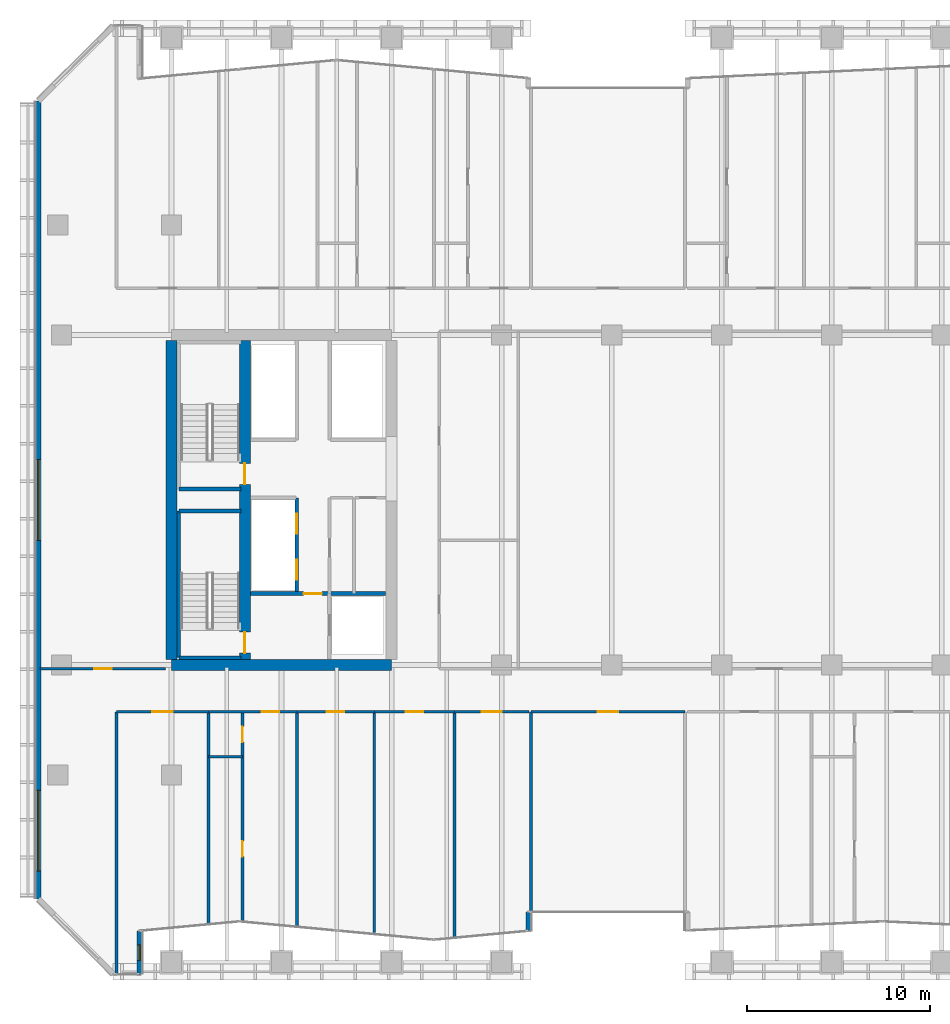
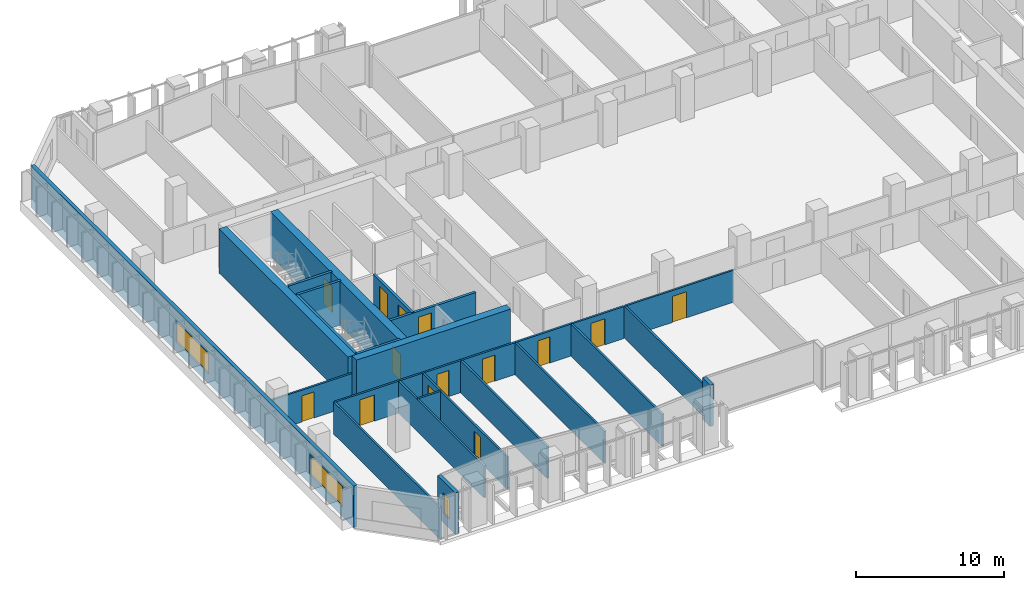
# One storey, part 20 of 32: 27 walls, 14 doors, 3 windows, 17 openings.
"""IFC4 building model written with IfcOpenShell, lengths in metres."""

from ifc_helpers import new_model, si_unit, direction, frame, frame_2d, origin, place, context, subcontext, project, spatial, rectangle, extrude, material, layer, layer_set, type_object, element, fill, save


model = new_model("IFC4")

# Units and contexts
model_context = context("Model", 3, precision=1e-05, world=origin(), true_north=direction((0.0, 1.0)))
body_context = subcontext(model_context, "Body", "Model", "MODEL_VIEW")
ifc_project = project(units=[si_unit("LENGTHUNIT", "METRE"), si_unit("AREAUNIT", "SQUARE_METRE"), si_unit("VOLUMEUNIT", "CUBIC_METRE"), si_unit("PLANEANGLEUNIT", "RADIAN"), si_unit("MASSUNIT", "GRAM", prefix="KILO")], contexts=[model_context])

# Site, building, storey
site_placement = place(None, origin())
site = spatial("IfcSite", under=ifc_project, at=site_placement, CompositionType="ELEMENT")
building_placement = place(site_placement, origin())
building = spatial("IfcBuilding", under=site, at=building_placement, Name="Tanjung Sevakor Pilgrim Tower", CompositionType="ELEMENT")
storey_placement = place(building_placement, frame((0.0, 0.0, 62.3701171875)))
storey = spatial("IfcBuildingStorey", under=building, at=storey_placement, Name="L17", CompositionType="ELEMENT", Elevation=62.3701171875)

# Walls
ifc_material_1 = material(Name="Concrete C60/75", Category="concrete")
ifc_layer_1 = layer(ifc_material_1, 0.60009765625)
ifc_layer_set_1 = layer_set([ifc_layer_1], Name="WALL-CW-600")
wall_type_1 = type_object("IfcWallType", Name="WALL-CW-600", PredefinedType="SHEAR", material=ifc_layer_set_1)
wall_1_placement = place(storey_placement, frame((24.0, 24.60009765625, 0.0), z_axis=(0.0, 0.0, 1.0), x_axis=(1.0, 0.0, 0.0)))
element("IfcWall", 1, at=wall_1_placement, inside=storey, type_object=wall_type_1, Name="L17 W Core South Shear Wall", PredefinedType="SHEAR", context=body_context, shape_type="SweptSolid", body=[
    extrude(rectangle(XDim=12.0, YDim=0.60009765625, at=frame_2d((6.0, 0.0))), origin(), (0.0, 0.0, 1.0), 3.6298828125),
])
wall_2_placement = place(storey_placement, frame((24.0, 24.89990234375, 0.0), z_axis=(0.0, 0.0, 1.0), x_axis=(0.0, 1.0, 0.0)))
element("IfcWall", 2, at=wall_2_placement, inside=storey, type_object=wall_type_1, Name="L17 W Core Outer Shear Wall", PredefinedType="SHEAR", context=body_context, shape_type="SweptSolid", body=[
    extrude(rectangle(XDim=17.400146484375, YDim=0.60009765625, at=frame_2d((8.7001953125, 0.0))), origin(), (0.0, 0.0, 1.0), 3.6298828125),
])

# Wall, openings, doors
wall_3_placement = place(storey_placement, frame((28.0, 24.89990234375, 0.0), z_axis=(0.0, 0.0, 1.0), x_axis=(0.0, 1.0, 0.0)))
wall_3 = element("IfcWall", 3, at=wall_3_placement, inside=storey, type_object=wall_type_1, Name="L17 W Core Stair Spine Wall", PredefinedType="SHEAR", context=body_context, shape_type="SweptSolid", body=[
    extrude(rectangle(XDim=17.400146484375, YDim=0.60009765625, at=frame_2d((8.7001953125, 0.0))), origin(), (0.0, 0.0, 1.0), 3.6298828125),
])
opening_1_placement = place(wall_3_placement, frame((0.35009765625, 0.0, 0.0)))
opening_1 = element("IfcOpeningElement", 4, at=opening_1_placement, cuts=wall_3, Name="Opening ID-ST1", PredefinedType="OPENING", context=body_context, shape_type="SweptSolid", body=[
    extrude(rectangle(XDim=1.14990234375, YDim=2.14990234375, at=frame_2d((0.574951171875, 1.074951171875))), frame((0.0, 0.31005859375, 0.0), z_axis=(0.0, -1.0, 0.0), x_axis=(1.0, 0.0, 0.0)), (0.0, 0.0, 1.0), 0.6201171875),
])
opening_2_placement = place(wall_3_placement, frame((9.550048828125, 0.0, 0.0)))
opening_2 = element("IfcOpeningElement", 5, at=opening_2_placement, cuts=wall_3, Name="Opening ID-ST1", PredefinedType="OPENING", context=body_context, shape_type="SweptSolid", body=[
    extrude(rectangle(XDim=1.14990234375, YDim=2.14990234375, at=frame_2d((0.574951171875, 1.074951171875))), frame((0.0, 0.31005859375, 0.0), z_axis=(0.0, -1.0, 0.0), x_axis=(1.0, 0.0, 0.0)), (0.0, 0.0, 1.0), 0.6201171875),
])
ifc_material_2 = material(Name="Fire-Rated Steel S355J2", Category="steel")
door_type_1 = type_object("IfcDoorType", Name="DT-FIRE-1150", OperationType="NOTDEFINED", PredefinedType="DOOR", material=ifc_material_2)
door_1_placement = place(opening_1_placement, origin())
door_1 = element("IfcDoor", 6, at=door_1_placement, inside=storey, type_object=door_type_1, Name="L17 TS-W1 Stair Fire Door", OperationType="SINGLE_SWING_RIGHT", OverallHeight=2.14990234375, OverallWidth=1.14990234375, PredefinedType="DOOR", context=body_context, shape_type="SweptSolid", body=[
    extrude(rectangle(XDim=1.14990234375, YDim=2.14990234375, at=frame_2d((0.574951171875, 1.074951171875))), frame((0.0, 0.02490234375, 0.0), z_axis=(0.0, -1.0, 0.0), x_axis=(1.0, 0.0, 0.0)), (0.0, 0.0, 1.0), 0.050048828125),
])
fill(opening_1, door_1)
door_2_placement = place(opening_2_placement, origin())
door_2 = element("IfcDoor", 7, at=door_2_placement, inside=storey, type_object=door_type_1, Name="L17 TS-W2 Stair Fire Door", OperationType="SINGLE_SWING_LEFT", OverallHeight=2.14990234375, OverallWidth=1.14990234375, PredefinedType="DOOR", context=body_context, shape_type="SweptSolid", body=[
    extrude(rectangle(XDim=1.14990234375, YDim=2.14990234375, at=frame_2d((0.574951171875, 1.074951171875))), frame((0.0, 0.02490234375, 0.0), z_axis=(0.0, -1.0, 0.0), x_axis=(1.0, 0.0, 0.0)), (0.0, 0.0, 1.0), 0.050048828125),
])
fill(opening_2, door_2)

# Wall, opening, door
ifc_material_3 = material(Name="Concrete C40/50", Category="concrete")
ifc_layer_2 = layer(ifc_material_3, 0.14990234375)
ifc_layer_set_2 = layer_set([ifc_layer_2], Name="WT-COMP-150")
wall_type_2 = type_object("IfcWallType", Name="WT-COMP-150", PredefinedType="SOLIDWALL", material=ifc_layer_set_2)
wall_4_placement = place(storey_placement, frame((16.840087890625, 24.39990234375, 0.0), z_axis=(0.0, 0.0, 1.0), x_axis=(1.0, 0.0, 0.0)))
wall_4 = element("IfcWall", 8, at=wall_4_placement, inside=storey, type_object=wall_type_2, Name="L17 Partition IW-L17-039", PredefinedType="SOLIDWALL", context=body_context, shape_type="SweptSolid", body=[
    extrude(rectangle(XDim=6.83984375, YDim=0.14990234375, at=frame_2d((3.419921875, 0.0))), origin(), (0.0, 0.0, 1.0), 2.625244140625),
])
opening_3_placement = place(wall_4_placement, frame((2.945068359375, 0.0, 0.0)))
opening_3 = element("IfcOpeningElement", 9, at=opening_3_placement, cuts=wall_4, Name="Opening ID-FD2", PredefinedType="OPENING", context=body_context, shape_type="SweptSolid", body=[
    extrude(rectangle(XDim=0.949951171875, YDim=2.14990234375, at=frame_2d((0.47509765625, 1.074951171875))), frame((0.0, 0.0849609375, 0.0), z_axis=(0.0, -1.0, 0.0), x_axis=(1.0, 0.0, 0.0)), (0.0, 0.0, 1.0), 0.169921875),
])
ifc_material_4 = material(Name="Fire-Rated Timber", Category="wood")
door_type_2 = type_object("IfcDoorType", Name="DT-FIRE-950", OperationType="NOTDEFINED", PredefinedType="DOOR", material=ifc_material_4)
door_3_placement = place(opening_3_placement, origin())
door_3 = element("IfcDoor", 10, at=door_3_placement, inside=storey, type_object=door_type_2, Name="Study Room Entrance", OperationType="SINGLE_SWING_LEFT", OverallHeight=2.14990234375, OverallWidth=0.949951171875, PredefinedType="DOOR", context=body_context, shape_type="SweptSolid", body=[
    extrude(rectangle(XDim=0.949951171875, YDim=2.14990234375, at=frame_2d((0.47509765625, 1.074951171875))), frame((0.0, 0.02490234375, 0.0), z_axis=(0.0, -1.0, 0.0), x_axis=(1.0, 0.0, 0.0)), (0.0, 0.0, 1.0), 0.050048828125),
])
fill(opening_3, door_3)

wall_5_placement = place(storey_placement, frame((43.60009765625, 22.050048828125, 0.0), z_axis=(0.0, 0.0, 1.0), x_axis=(1.0, 0.0, 0.0)))
wall_5 = element("IfcWall", 11, at=wall_5_placement, inside=storey, type_object=wall_type_2, Name="L17 Partition IW-L17-046", PredefinedType="SOLIDWALL", context=body_context, shape_type="SweptSolid", body=[
    extrude(rectangle(XDim=8.39990234375, YDim=0.14990234375, at=frame_2d((4.199951171875, 0.0))), origin(), (0.0, 0.0, 1.0), 2.6298828125),
])
opening_4_placement = place(wall_5_placement, frame((3.64990234375, 0.0, 0.0)))
opening_4 = element("IfcOpeningElement", 12, at=opening_4_placement, cuts=wall_5, Name="Opening ID-RM2", PredefinedType="OPENING", context=body_context, shape_type="SweptSolid", body=[
    extrude(rectangle(XDim=1.10009765625, YDim=2.14990234375, at=frame_2d((0.550048828125, 1.074951171875))), frame((0.0, 0.0849609375, 0.0), z_axis=(0.0, -1.0, 0.0), x_axis=(1.0, 0.0, 0.0)), (0.0, 0.0, 1.0), 0.169921875),
])
ifc_material_5 = material(Name="Hardwood Timber", Category="wood")
door_type_3 = type_object("IfcDoorType", Name="DT-INT-1100", OperationType="NOTDEFINED", PredefinedType="DOOR", material=ifc_material_5)
door_4_placement = place(opening_4_placement, origin())
door_4 = element("IfcDoor", 13, at=door_4_placement, inside=storey, type_object=door_type_3, Name="L17 South Cleft Tea Sanctuary Door", OperationType="SINGLE_SWING_RIGHT", OverallHeight=2.14990234375, OverallWidth=1.10009765625, PredefinedType="DOOR", context=body_context, shape_type="SweptSolid", body=[
    extrude(rectangle(XDim=1.10009765625, YDim=2.14990234375, at=frame_2d((0.550048828125, 1.074951171875))), frame((0.0, 0.02490234375, 0.0), z_axis=(0.0, -1.0, 0.0), x_axis=(1.0, 0.0, 0.0)), (0.0, 0.0, 1.0), 0.050048828125),
])
fill(opening_4, door_4)

# Walls
wall_6_placement = place(storey_placement, frame((43.60009765625, 11.139892578125, 0.0), z_axis=(0.0, 0.0, 1.0), x_axis=(0.0, 1.0, 0.0)))
element("IfcWall", 14, at=wall_6_placement, inside=storey, type_object=wall_type_2, Name="L17 Partition IW-L17-047", PredefinedType="SOLIDWALL", context=body_context, shape_type="SweptSolid", body=[
    extrude(rectangle(XDim=10.91015625, YDim=0.14990234375, at=frame_2d((5.455078125, 0.0))), origin(), (0.0, 0.0, 1.0), 2.6298828125),
])
wall_7_placement = place(storey_placement, frame((21.0, 7.739990234375, 0.0), z_axis=(0.0, 0.0, 1.0), x_axis=(0.0, 1.0, 0.0)))
element("IfcWall", 15, at=wall_7_placement, inside=storey, type_object=wall_type_2, Name="L17 Partition IW-L17-052", PredefinedType="SOLIDWALL", context=body_context, shape_type="SweptSolid", body=[
    extrude(rectangle(XDim=14.31005859375, YDim=0.14990234375, at=frame_2d((7.155029296875, 0.0))), origin(), (0.0, 0.0, 1.0), 2.6298828125),
])
wall_8_placement = place(storey_placement, frame((26.022705078125, 10.46240234375, 0.0), z_axis=(0.0, 0.0, 1.0), x_axis=(0.0, 1.0, 0.0)))
element("IfcWall", 16, at=wall_8_placement, inside=storey, type_object=wall_type_2, Name="L17 Partition IW-L17-053", PredefinedType="SOLIDWALL", context=body_context, shape_type="SweptSolid", body=[
    extrude(rectangle(XDim=11.587646484375, YDim=0.14990234375, at=frame_2d((5.7939453125, 0.0))), origin(), (0.0, 0.0, 1.0), 2.6298828125),
])

# Wall, opening, door
wall_9_placement = place(storey_placement, frame((21.0, 22.050048828125, 0.0), z_axis=(0.0, 0.0, 1.0), x_axis=(1.0, 0.0, 0.0)))
wall_9 = element("IfcWall", 17, at=wall_9_placement, inside=storey, type_object=wall_type_2, Name="L17 Partition IW-L17-054", PredefinedType="SOLIDWALL", context=body_context, shape_type="SweptSolid", body=[
    extrude(rectangle(XDim=5.022705078125, YDim=0.14990234375, at=frame_2d((2.51123046875, 0.0))), origin(), (0.0, 0.0, 1.0), 2.6298828125),
])
opening_5_placement = place(wall_9_placement, frame((1.961181640625, 0.0, 0.0)))
opening_5 = element("IfcOpeningElement", 18, at=opening_5_placement, cuts=wall_9, Name="Opening ID-FD0", PredefinedType="OPENING", context=body_context, shape_type="SweptSolid", body=[
    extrude(rectangle(XDim=1.10009765625, YDim=2.14990234375, at=frame_2d((0.550048828125, 1.074951171875))), frame((0.0, 0.0849609375, 0.0), z_axis=(0.0, -1.0, 0.0), x_axis=(1.0, 0.0, 0.0)), (0.0, 0.0, 1.0), 0.169921875),
])
ifc_material_6 = material(Name="Fire-Rated Steel S355J2", Category="steel")
door_type_4 = type_object("IfcDoorType", Name="DT-FIRE-1100", OperationType="NOTDEFINED", PredefinedType="DOOR", material=ifc_material_6)
door_5_placement = place(opening_5_placement, origin())
door_5 = element("IfcDoor", 19, at=door_5_placement, inside=storey, type_object=door_type_4, Name="Communal Lounge Door", OperationType="SINGLE_SWING_RIGHT", OverallHeight=2.14990234375, OverallWidth=1.10009765625, PredefinedType="DOOR", context=body_context, shape_type="SweptSolid", body=[
    extrude(rectangle(XDim=1.10009765625, YDim=2.14990234375, at=frame_2d((0.550048828125, 1.074951171875))), frame((0.0, 0.02490234375, 0.0), z_axis=(0.0, -1.0, 0.0), x_axis=(1.0, 0.0, 0.0)), (0.0, 0.0, 1.0), 0.050048828125),
])
fill(opening_5, door_5)

# Wall
wall_10_placement = place(storey_placement, frame((30.842529296875, 10.32421875, 0.0), z_axis=(0.0, 0.0, 1.0), x_axis=(0.0, 1.0, 0.0)))
element("IfcWall", 20, at=wall_10_placement, inside=storey, type_object=wall_type_2, Name="L17 Partition IW-L17-055", PredefinedType="SOLIDWALL", context=body_context, shape_type="SweptSolid", body=[
    extrude(rectangle(XDim=11.725830078125, YDim=0.14990234375, at=frame_2d((5.86279296875, 0.0))), origin(), (0.0, 0.0, 1.0), 2.6298828125),
])

# Wall, opening, door
wall_11_placement = place(storey_placement, frame((26.022705078125, 22.050048828125, 0.0), z_axis=(0.0, 0.0, 1.0), x_axis=(1.0, 0.0, 0.0)))
wall_11 = element("IfcWall", 21, at=wall_11_placement, inside=storey, type_object=wall_type_2, Name="L17 Partition IW-L17-058", PredefinedType="SOLIDWALL", context=body_context, shape_type="SweptSolid", body=[
    extrude(rectangle(XDim=4.81982421875, YDim=0.14990234375, at=frame_2d((2.409912109375, 0.0))), origin(), (0.0, 0.0, 1.0), 2.6298828125),
])
opening_6_placement = place(wall_11_placement, frame((2.89990234375, 0.0, 0.0)))
opening_6 = element("IfcOpeningElement", 22, at=opening_6_placement, cuts=wall_11, Name="Opening ID-FD2", PredefinedType="OPENING", context=body_context, shape_type="SweptSolid", body=[
    extrude(rectangle(XDim=0.949951171875, YDim=2.14990234375, at=frame_2d((0.47509765625, 1.074951171875))), frame((0.0, 0.0849609375, 0.0), z_axis=(0.0, -1.0, 0.0), x_axis=(1.0, 0.0, 0.0)), (0.0, 0.0, 1.0), 0.169921875),
])
door_6_placement = place(opening_6_placement, origin())
door_6 = element("IfcDoor", 23, at=door_6_placement, inside=storey, type_object=door_type_2, Name="Hostel Quad Entrance", OperationType="SINGLE_SWING_LEFT", OverallHeight=2.14990234375, OverallWidth=0.949951171875, PredefinedType="DOOR", context=body_context, shape_type="SweptSolid", body=[
    extrude(rectangle(XDim=0.949951171875, YDim=2.14990234375, at=frame_2d((0.47509765625, 1.074951171875))), frame((0.0, 0.02490234375, 0.0), z_axis=(0.0, -1.0, 0.0), x_axis=(1.0, 0.0, 0.0)), (0.0, 0.0, 1.0), 0.050048828125),
])
fill(opening_6, door_6)

# Wall
wall_12_placement = place(storey_placement, frame((35.05517578125, 9.9267578125, 0.0), z_axis=(0.0, 0.0, 1.0), x_axis=(0.0, 1.0, 0.0)))
element("IfcWall", 24, at=wall_12_placement, inside=storey, type_object=wall_type_2, Name="L17 Partition IW-L17-059", PredefinedType="SOLIDWALL", context=body_context, shape_type="SweptSolid", body=[
    extrude(rectangle(XDim=12.123291015625, YDim=0.14990234375, at=frame_2d((6.0615234375, 0.0))), origin(), (0.0, 0.0, 1.0), 2.6298828125),
])

# Wall, opening, door
wall_13_placement = place(storey_placement, frame((30.842529296875, 22.050048828125, 0.0), z_axis=(0.0, 0.0, 1.0), x_axis=(1.0, 0.0, 0.0)))
wall_13 = element("IfcWall", 25, at=wall_13_placement, inside=storey, type_object=wall_type_2, Name="L17 Partition IW-L17-060", PredefinedType="SOLIDWALL", context=body_context, shape_type="SweptSolid", body=[
    extrude(rectangle(XDim=4.212646484375, YDim=0.14990234375, at=frame_2d((2.1064453125, 0.0))), origin(), (0.0, 0.0, 1.0), 2.6298828125),
])
opening_7_placement = place(wall_13_placement, frame((1.63134765625, 0.0, 0.0)))
opening_7 = element("IfcOpeningElement", 26, at=opening_7_placement, cuts=wall_13, Name="Opening ID-FD2", PredefinedType="OPENING", context=body_context, shape_type="SweptSolid", body=[
    extrude(rectangle(XDim=0.949951171875, YDim=2.14990234375, at=frame_2d((0.47509765625, 1.074951171875))), frame((0.0, 0.0849609375, 0.0), z_axis=(0.0, -1.0, 0.0), x_axis=(1.0, 0.0, 0.0)), (0.0, 0.0, 1.0), 0.169921875),
])
door_7_placement = place(opening_7_placement, origin())
door_7 = element("IfcDoor", 27, at=door_7_placement, inside=storey, type_object=door_type_2, Name="Study Room Entrance", OperationType="SINGLE_SWING_RIGHT", OverallHeight=2.14990234375, OverallWidth=0.949951171875, PredefinedType="DOOR", context=body_context, shape_type="SweptSolid", body=[
    extrude(rectangle(XDim=0.949951171875, YDim=2.14990234375, at=frame_2d((0.47509765625, 1.074951171875))), frame((0.0, 0.02490234375, 0.0), z_axis=(0.0, -1.0, 0.0), x_axis=(1.0, 0.0, 0.0)), (0.0, 0.0, 1.0), 0.050048828125),
])
fill(opening_7, door_7)

# Wall
wall_14_placement = place(storey_placement, frame((39.4296875, 9.727294921875, 0.0), z_axis=(0.0, 0.0, 1.0), x_axis=(0.0, 1.0, 0.0)))
element("IfcWall", 28, at=wall_14_placement, inside=storey, type_object=wall_type_2, Name="L17 Partition IW-L17-061", PredefinedType="SOLIDWALL", context=body_context, shape_type="SweptSolid", body=[
    extrude(rectangle(XDim=12.32275390625, YDim=0.14990234375, at=frame_2d((6.161376953125, 0.0))), origin(), (0.0, 0.0, 1.0), 2.6298828125),
])

# Wall, opening, door
wall_15_placement = place(storey_placement, frame((35.05517578125, 22.050048828125, 0.0), z_axis=(0.0, 0.0, 1.0), x_axis=(1.0, 0.0, 0.0)))
wall_15 = element("IfcWall", 29, at=wall_15_placement, inside=storey, type_object=wall_type_2, Name="L17 Partition IW-L17-062", PredefinedType="SOLIDWALL", context=body_context, shape_type="SweptSolid", body=[
    extrude(rectangle(XDim=4.37451171875, YDim=0.14990234375, at=frame_2d((2.187255859375, 0.0))), origin(), (0.0, 0.0, 1.0), 2.6298828125),
])
opening_8_placement = place(wall_15_placement, frame((1.71240234375, 0.0, 0.0)))
opening_8 = element("IfcOpeningElement", 30, at=opening_8_placement, cuts=wall_15, Name="Opening ID-FD2", PredefinedType="OPENING", context=body_context, shape_type="SweptSolid", body=[
    extrude(rectangle(XDim=0.949951171875, YDim=2.14990234375, at=frame_2d((0.47509765625, 1.074951171875))), frame((0.0, 0.0849609375, 0.0), z_axis=(0.0, -1.0, 0.0), x_axis=(1.0, 0.0, 0.0)), (0.0, 0.0, 1.0), 0.169921875),
])
door_8_placement = place(opening_8_placement, origin())
door_8 = element("IfcDoor", 31, at=door_8_placement, inside=storey, type_object=door_type_2, Name="Study Room Entrance", OperationType="SINGLE_SWING_LEFT", OverallHeight=2.14990234375, OverallWidth=0.949951171875, PredefinedType="DOOR", context=body_context, shape_type="SweptSolid", body=[
    extrude(rectangle(XDim=0.949951171875, YDim=2.14990234375, at=frame_2d((0.47509765625, 1.074951171875))), frame((0.0, 0.02490234375, 0.0), z_axis=(0.0, -1.0, 0.0), x_axis=(1.0, 0.0, 0.0)), (0.0, 0.0, 1.0), 0.050048828125),
])
fill(opening_8, door_8)

wall_16_placement = place(storey_placement, frame((39.4296875, 22.050048828125, 0.0), z_axis=(0.0, 0.0, 1.0), x_axis=(1.0, 0.0, 0.0)))
wall_16 = element("IfcWall", 32, at=wall_16_placement, inside=storey, type_object=wall_type_2, Name="L17 Partition IW-L17-063", PredefinedType="SOLIDWALL", context=body_context, shape_type="SweptSolid", body=[
    extrude(rectangle(XDim=4.05029296875, YDim=0.14990234375, at=frame_2d((2.025146484375, 0.0))), origin(), (0.0, 0.0, 1.0), 2.6298828125),
])
opening_9_placement = place(wall_16_placement, frame((1.47509765625, 0.0, 0.0)))
opening_9 = element("IfcOpeningElement", 33, at=opening_9_placement, cuts=wall_16, Name="Opening ID-FD0", PredefinedType="OPENING", context=body_context, shape_type="SweptSolid", body=[
    extrude(rectangle(XDim=1.10009765625, YDim=2.14990234375, at=frame_2d((0.550048828125, 1.074951171875))), frame((0.0, 0.0849609375, 0.0), z_axis=(0.0, -1.0, 0.0), x_axis=(1.0, 0.0, 0.0)), (0.0, 0.0, 1.0), 0.169921875),
])
door_9_placement = place(opening_9_placement, origin())
door_9 = element("IfcDoor", 34, at=door_9_placement, inside=storey, type_object=door_type_4, Name="Communal Lounge Door", OperationType="SINGLE_SWING_RIGHT", OverallHeight=2.14990234375, OverallWidth=1.10009765625, PredefinedType="DOOR", context=body_context, shape_type="SweptSolid", body=[
    extrude(rectangle(XDim=1.10009765625, YDim=2.14990234375, at=frame_2d((0.550048828125, 1.074951171875))), frame((0.0, 0.02490234375, 0.0), z_axis=(0.0, -1.0, 0.0), x_axis=(1.0, 0.0, 0.0)), (0.0, 0.0, 1.0), 0.050048828125),
])
fill(opening_9, door_9)

# Wall, opening, window
ifc_material_7 = material(Name="Precast concrete C45/55", Category="concrete")
ifc_layer_3 = layer(ifc_material_7, 0.280029296875)
ifc_layer_set_3 = layer_set([ifc_layer_3], Name="WT-EW-STN2")
wall_type_3 = type_object("IfcWallType", Name="WT-EW-STN2", PredefinedType="SOLIDWALL", material=ifc_layer_set_3)
wall_17_placement = place(storey_placement, frame((22.260009765625, 7.739990234375, 0.0), z_axis=(0.0, 0.0, 1.0), x_axis=(0.0, 1.0, 0.0)))
wall_17 = element("IfcWall", 35, at=wall_17_placement, inside=storey, type_object=wall_type_3, Name="L17 MAIN Exterior Wall 2", PredefinedType="SOLIDWALL", context=body_context, shape_type="SweptSolid", body=[
    extrude(rectangle(XDim=2.367431640625, YDim=0.280029296875, at=frame_2d((1.18359375, 0.0))), origin(), (0.0, 0.0, 1.0), 3.409912109375),
])
opening_10_placement = place(wall_17_placement, frame((0.7587890625, 0.0, 0.780029296875)))
opening_10 = element("IfcOpeningElement", 36, at=opening_10_placement, cuts=wall_17, Name="Opening WN-SLM", PredefinedType="OPENING", context=body_context, shape_type="SweptSolid", body=[
    extrude(rectangle(XDim=0.85009765625, YDim=1.64990234375, at=frame_2d((0.425048828125, 0.824951171875))), frame((0.0, 0.14990234375, 0.0), z_axis=(0.0, -1.0, 0.0), x_axis=(1.0, 0.0, 0.0)), (0.0, 0.0, 1.0), 0.300048828125),
])
ifc_material_8 = material(Name="Thermally Broken Aluminium and Low-E Glass", Category="aluminium")
window_type_1 = type_object("IfcWindowType", Name="WTYP-WN-SLM", PartitioningType="SINGLE_PANEL", PredefinedType="WINDOW", material=ifc_material_8)
window_1_placement = place(opening_10_placement, origin())
window_1 = element("IfcWindow", 37, at=window_1_placement, inside=storey, type_object=window_type_1, Name="L17 Facade Window 01", OverallHeight=1.64990234375, OverallWidth=0.85009765625, PartitioningType="SINGLE_PANEL", PredefinedType="WINDOW", context=body_context, shape_type="SweptSolid", body=[
    extrude(rectangle(XDim=0.85009765625, YDim=1.64990234375, at=frame_2d((0.425048828125, 0.824951171875))), frame((0.0, 0.030029296875, 0.0), z_axis=(0.0, -1.0, 0.0), x_axis=(1.0, 0.0, 0.0)), (0.0, 0.0, 1.0), 0.06005859375),
])
fill(opening_10, window_1)

# Wall
wall_18_placement = place(storey_placement, frame((43.4599609375, 10.107421875, 0.0), z_axis=(0.0, 0.0, 1.0), x_axis=(0.0, 1.0, 0.0)))
element("IfcWall", 38, at=wall_18_placement, inside=storey, type_object=wall_type_3, Name="L17 MAIN Exterior Wall 7", PredefinedType="SOLIDWALL", context=body_context, shape_type="SweptSolid", body=[
    extrude(rectangle(XDim=1.032470703125, YDim=0.280029296875, at=frame_2d((0.51611328125, 0.0))), origin(), (0.0, 0.0, 1.0), 3.409912109375),
])

# Wall, openings, windows
wall_19_placement = place(storey_placement, frame((16.739990234375, 55.342041015625, 0.0), z_axis=(0.0, 0.0, 1.0), x_axis=(0.0, -1.0, 0.0)))
wall_19 = element("IfcWall", 39, at=wall_19_placement, inside=storey, type_object=wall_type_3, Name="L17 MAIN Exterior Wall 35", PredefinedType="SOLIDWALL", context=body_context, shape_type="SweptSolid", body=[
    extrude(rectangle(XDim=43.484130859375, YDim=0.280029296875, at=frame_2d((21.7421875, 0.0))), origin(), (0.0, 0.0, 1.0), 3.409912109375),
])
opening_11_placement = place(wall_19_placement, frame((19.5419921875, 0.0, 0.780029296875)))
opening_11 = element("IfcOpeningElement", 40, at=opening_11_placement, cuts=wall_19, Name="Opening WN-ENDW-1660", PredefinedType="OPENING", context=body_context, shape_type="SweptSolid", body=[
    extrude(rectangle(XDim=4.39990234375, YDim=1.659912109375, at=frame_2d((2.199951171875, 0.830078125))), frame((0.0, 0.14990234375, 0.0), z_axis=(0.0, -1.0, 0.0), x_axis=(1.0, 0.0, 0.0)), (0.0, 0.0, 1.0), 0.300048828125),
])
opening_12_placement = place(wall_19_placement, frame((37.572998046875, 0.0, 0.780029296875)))
opening_12 = element("IfcOpeningElement", 41, at=opening_12_placement, cuts=wall_19, Name="Opening WN-ENDW-1660", PredefinedType="OPENING", context=body_context, shape_type="SweptSolid", body=[
    extrude(rectangle(XDim=4.39990234375, YDim=1.659912109375, at=frame_2d((2.199951171875, 0.830078125))), frame((0.0, 0.14990234375, 0.0), z_axis=(0.0, -1.0, 0.0), x_axis=(1.0, 0.0, 0.0)), (0.0, 0.0, 1.0), 0.300048828125),
])
ifc_material_9 = material(Name="Thermally Broken Aluminium and Low-E Glass", Category="aluminium")
window_type_2 = type_object("IfcWindowType", Name="WTYP-WN-ENDW-1660", PartitioningType="DOUBLE_PANEL_VERTICAL", PredefinedType="WINDOW", material=ifc_material_9)
window_2_placement = place(opening_11_placement, origin())
window_2 = element("IfcWindow", 42, at=window_2_placement, inside=storey, type_object=window_type_2, Name="L17 Facade Window 01", OverallHeight=1.659912109375, OverallWidth=4.39990234375, PartitioningType="SINGLE_PANEL", PredefinedType="WINDOW", context=body_context, shape_type="SweptSolid", body=[
    extrude(rectangle(XDim=4.39990234375, YDim=1.659912109375, at=frame_2d((2.199951171875, 0.830078125))), frame((0.0, 0.030029296875, 0.0), z_axis=(0.0, -1.0, 0.0), x_axis=(1.0, 0.0, 0.0)), (0.0, 0.0, 1.0), 0.06005859375),
])
fill(opening_11, window_2)
window_3_placement = place(opening_12_placement, origin())
window_3 = element("IfcWindow", 43, at=window_3_placement, inside=storey, type_object=window_type_2, Name="L17 Facade Window 02", OverallHeight=1.659912109375, OverallWidth=4.39990234375, PartitioningType="SINGLE_PANEL", PredefinedType="WINDOW", context=body_context, shape_type="SweptSolid", body=[
    extrude(rectangle(XDim=4.39990234375, YDim=1.659912109375, at=frame_2d((2.199951171875, 0.830078125))), frame((0.0, 0.030029296875, 0.0), z_axis=(0.0, -1.0, 0.0), x_axis=(1.0, 0.0, 0.0)), (0.0, 0.0, 1.0), 0.06005859375),
])
fill(opening_12, window_3)

# Walls
ifc_material_10 = material(Name="Concrete C40/50", Category="concrete")
ifc_layer_4 = layer(ifc_material_10, 0.199951171875)
ifc_layer_set_4 = layer_set([ifc_layer_4], Name="WT-FIRE-200")
wall_type_4 = type_object("IfcWallType", Name="WT-FIRE-200", PredefinedType="SOLIDWALL", material=ifc_layer_set_4)
for number, where, z_axis, x_axis, name in (
    (44, (24.39990234375, 25.0, 0.0), (0.0, 0.0, 1.0), (1.0, 0.0, 0.0), "L17 TS-W1 Shaft Wall 1"),
    (45, (27.800048828125, 33.0, 0.0), (0.0, 0.0, 1.0), (-1.0, 0.0, 0.0), "L17 TS-W1 Shaft Wall 2"),
):
    element("IfcWall", number, at=place(storey_placement, frame(where, z_axis=z_axis, x_axis=x_axis)), inside=storey, type_object=wall_type_4, Name=name, PredefinedType="SOLIDWALL", context=body_context, shape_type="SweptSolid", body=[
        extrude(rectangle(XDim=3.400146484375, YDim=0.199951171875, at=frame_2d((1.7001953125, 0.0))), origin(), (0.0, 0.0, 1.0), 3.6298828125),
    ])
wall_20_placement = place(storey_placement, frame((24.39990234375, 33.0, 0.0), z_axis=(0.0, 0.0, 1.0), x_axis=(0.0, -1.0, 0.0)))
element("IfcWall", 46, at=wall_20_placement, inside=storey, type_object=wall_type_4, Name="L17 TS-W1 Shaft Wall 3", PredefinedType="SOLIDWALL", context=body_context, shape_type="SweptSolid", body=[
    extrude(rectangle(XDim=8.0, YDim=0.199951171875, at=frame_2d((4.0, 0.0))), origin(), (0.0, 0.0, 1.0), 3.6298828125),
])
wall_21_placement = place(storey_placement, frame((24.39990234375, 34.199951171875, 0.0), z_axis=(0.0, 0.0, 1.0), x_axis=(1.0, 0.0, 0.0)))
element("IfcWall", 47, at=wall_21_placement, inside=storey, type_object=wall_type_4, Name="L17 TS-W2 Shaft Wall 1", PredefinedType="SOLIDWALL", context=body_context, shape_type="SweptSolid", body=[
    extrude(rectangle(XDim=3.400146484375, YDim=0.199951171875, at=frame_2d((1.7001953125, 0.0))), origin(), (0.0, 0.0, 1.0), 3.6298828125),
])

# Wall, opening, door
ifc_material_11 = material(Name="Concrete C40/50", Category="concrete")
ifc_layer_5 = layer(ifc_material_11, 0.199951171875)
ifc_layer_set_5 = layer_set([ifc_layer_5], Name="WT-FPRT-200")
wall_type_5 = type_object("IfcWallType", Name="WT-FPRT-200", PredefinedType="SOLIDWALL", material=ifc_layer_set_5)
wall_22_placement = place(storey_placement, frame((28.320068359375, 28.5, 0.0), z_axis=(0.0, 0.0, 1.0), x_axis=(1.0, 0.0, 0.0)))
wall_22 = element("IfcWall", 48, at=wall_22_placement, inside=storey, type_object=wall_type_5, Name="L17 Partition IW-L17-002", PredefinedType="SOLIDWALL", context=body_context, shape_type="SweptSolid", body=[
    extrude(rectangle(XDim=7.35986328125, YDim=0.199951171875, at=frame_2d((3.679931640625, 0.0))), origin(), (0.0, 0.0, 1.0), 2.6298828125),
])
opening_13_placement = place(wall_22_placement, frame((2.8798828125, 0.0, 0.0)))
opening_13 = element("IfcOpeningElement", 49, at=opening_13_placement, cuts=wall_22, Name="Opening ID-FD1", PredefinedType="OPENING", context=body_context, shape_type="SweptSolid", body=[
    extrude(rectangle(XDim=1.0, YDim=2.14990234375, at=frame_2d((0.5, 1.074951171875))), frame((0.0, 0.10986328125, 0.0), z_axis=(0.0, -1.0, 0.0), x_axis=(1.0, 0.0, 0.0)), (0.0, 0.0, 1.0), 0.219970703125),
])
ifc_material_12 = material(Name="Fire-Rated Steel S355J2", Category="steel")
door_type_5 = type_object("IfcDoorType", Name="DT-FIRE-1000", OperationType="NOTDEFINED", PredefinedType="DOOR", material=ifc_material_12)
door_10_placement = place(opening_13_placement, origin())
door_10 = element("IfcDoor", 50, at=door_10_placement, inside=storey, type_object=door_type_5, Name="Fire Lobby Door W", OperationType="SINGLE_SWING_LEFT", OverallHeight=2.14990234375, OverallWidth=1.0, PredefinedType="DOOR", context=body_context, shape_type="SweptSolid", body=[
    extrude(rectangle(XDim=1.0, YDim=2.14990234375, at=frame_2d((0.5, 1.074951171875))), frame((0.0, 0.02490234375, 0.0), z_axis=(0.0, -1.0, 0.0), x_axis=(1.0, 0.0, 0.0)), (0.0, 0.0, 1.0), 0.050048828125),
])
fill(opening_13, door_10)

# Wall, openings, doors
wall_23_placement = place(storey_placement, frame((30.820068359375, 28.5, 0.0), z_axis=(0.0, 0.0, 1.0), x_axis=(0.0, 1.0, 0.0)))
wall_23 = element("IfcWall", 51, at=wall_23_placement, inside=storey, type_object=wall_type_5, Name="L17 Partition IW-L17-004", PredefinedType="SOLIDWALL", context=body_context, shape_type="SweptSolid", body=[
    extrude(rectangle(XDim=5.219970703125, YDim=0.199951171875, at=frame_2d((2.60986328125, 0.0))), origin(), (0.0, 0.0, 1.0), 2.6298828125),
])
opening_14_placement = place(wall_23_placement, frame((0.75, 0.0, 0.0)))
opening_14 = element("IfcOpeningElement", 52, at=opening_14_placement, cuts=wall_23, Name="Opening LD-1100", PredefinedType="OPENING", context=body_context, shape_type="SweptSolid", body=[
    extrude(rectangle(XDim=1.10009765625, YDim=2.199951171875, at=frame_2d((0.550048828125, 1.10009765625))), frame((0.0, 0.10986328125, 0.0), z_axis=(0.0, -1.0, 0.0), x_axis=(1.0, 0.0, 0.0)), (0.0, 0.0, 1.0), 0.219970703125),
])
opening_15_placement = place(wall_23_placement, frame((3.25, 0.0, 0.0)))
opening_15 = element("IfcOpeningElement", 53, at=opening_15_placement, cuts=wall_23, Name="Opening LD-1100", PredefinedType="OPENING", context=body_context, shape_type="SweptSolid", body=[
    extrude(rectangle(XDim=1.10009765625, YDim=2.199951171875, at=frame_2d((0.550048828125, 1.10009765625))), frame((0.0, 0.10986328125, 0.0), z_axis=(0.0, -1.0, 0.0), x_axis=(1.0, 0.0, 0.0)), (0.0, 0.0, 1.0), 0.219970703125),
])
ifc_material_13 = material(Name="Brushed Stainless Steel S355J2", Category="steel")
door_type_6 = type_object("IfcDoorType", Name="DT-LIFT-1100", OperationType="SLIDING_TO_LEFT", PredefinedType="DOOR", material=ifc_material_13)
door_11_placement = place(opening_14_placement, origin())
door_11 = element("IfcDoor", 54, at=door_11_placement, inside=storey, type_object=door_type_6, Name="LD-PLL1-W", OperationType="SLIDING_TO_LEFT", OverallHeight=2.199951171875, OverallWidth=1.10009765625, PredefinedType="DOOR", context=body_context, shape_type="SweptSolid", body=[
    extrude(rectangle(XDim=1.10009765625, YDim=2.199951171875, at=frame_2d((0.550048828125, 1.10009765625))), frame((0.0, 0.02490234375, 0.0), z_axis=(0.0, -1.0, 0.0), x_axis=(1.0, 0.0, 0.0)), (0.0, 0.0, 1.0), 0.050048828125),
])
fill(opening_14, door_11)
door_12_placement = place(opening_15_placement, origin())
door_12 = element("IfcDoor", 55, at=door_12_placement, inside=storey, type_object=door_type_6, Name="LD-PLL2-W", OperationType="SLIDING_TO_RIGHT", OverallHeight=2.199951171875, OverallWidth=1.10009765625, PredefinedType="DOOR", context=body_context, shape_type="SweptSolid", body=[
    extrude(rectangle(XDim=1.10009765625, YDim=2.199951171875, at=frame_2d((0.550048828125, 1.10009765625))), frame((0.0, 0.02490234375, 0.0), z_axis=(0.0, -1.0, 0.0), x_axis=(1.0, 0.0, 0.0)), (0.0, 0.0, 1.0), 0.050048828125),
])
fill(opening_15, door_12)

# Wall
ifc_material_14 = material(Name="Gypsum Board Partition", Category="gypsum board")
ifc_layer_6 = layer(ifc_material_14, 0.14990234375)
ifc_layer_set_6 = layer_set([ifc_layer_6], Name="WT-PART-150")
wall_type_6 = type_object("IfcWallType", Name="WT-PART-150", PredefinedType="PARTITIONING", material=ifc_layer_set_6)
wall_24_placement = place(storey_placement, frame((26.022705078125, 19.60009765625, 0.0), z_axis=(0.0, 0.0, 1.0), x_axis=(1.0, 0.0, 0.0)))
element("IfcWall", 56, at=wall_24_placement, inside=storey, type_object=wall_type_6, Name="L17 Partition IW-L17-056", PredefinedType="PARTITIONING", context=body_context, shape_type="SweptSolid", body=[
    extrude(rectangle(XDim=1.849853515625, YDim=0.14990234375, at=frame_2d((0.9248046875, 0.0))), origin(), (0.0, 0.0, 1.0), 2.6298828125),
])

# Wall, openings, doors
wall_25_placement = place(storey_placement, frame((27.87255859375, 10.604248046875, 0.0), z_axis=(0.0, 0.0, 1.0), x_axis=(0.0, 1.0, 0.0)))
wall_25 = element("IfcWall", 57, at=wall_25_placement, inside=storey, type_object=wall_type_6, Name="L17 Partition IW-L17-057", PredefinedType="PARTITIONING", context=body_context, shape_type="SweptSolid", body=[
    extrude(rectangle(XDim=11.44580078125, YDim=0.14990234375, at=frame_2d((5.722900390625, 0.0))), origin(), (0.0, 0.0, 1.0), 2.6298828125),
])
opening_16_placement = place(wall_25_placement, frame((3.545654296875, 0.0, 0.0)))
opening_16 = element("IfcOpeningElement", 58, at=opening_16_placement, cuts=wall_25, Name="Opening ID-WC1", PredefinedType="OPENING", context=body_context, shape_type="SweptSolid", body=[
    extrude(rectangle(XDim=0.85009765625, YDim=2.10009765625, at=frame_2d((0.425048828125, 1.050048828125))), frame((0.0, 0.0849609375, 0.0), z_axis=(0.0, -1.0, 0.0), x_axis=(1.0, 0.0, 0.0)), (0.0, 0.0, 1.0), 0.169921875),
])
opening_17_placement = place(wall_25_placement, frame((9.795654296875, 0.0, 0.0)))
opening_17 = element("IfcOpeningElement", 59, at=opening_17_placement, cuts=wall_25, Name="Opening ID-WC1", PredefinedType="OPENING", context=body_context, shape_type="SweptSolid", body=[
    extrude(rectangle(XDim=0.85009765625, YDim=2.10009765625, at=frame_2d((0.425048828125, 1.050048828125))), frame((0.0, 0.0849609375, 0.0), z_axis=(0.0, -1.0, 0.0), x_axis=(1.0, 0.0, 0.0)), (0.0, 0.0, 1.0), 0.169921875),
])
ifc_material_15 = material(Name="Moisture-Resistant Timber", Category="wood")
door_type_7 = type_object("IfcDoorType", Name="DT-INT-850", OperationType="NOTDEFINED", PredefinedType="DOOR", material=ifc_material_15)
door_13_placement = place(opening_16_placement, origin())
door_13 = element("IfcDoor", 60, at=door_13_placement, inside=storey, type_object=door_type_7, Name="Study Nook Door", OperationType="SINGLE_SWING_LEFT", OverallHeight=2.10009765625, OverallWidth=0.85009765625, PredefinedType="DOOR", context=body_context, shape_type="SweptSolid", body=[
    extrude(rectangle(XDim=0.85009765625, YDim=2.10009765625, at=frame_2d((0.425048828125, 1.050048828125))), frame((0.0, 0.02490234375, 0.0), z_axis=(0.0, -1.0, 0.0), x_axis=(1.0, 0.0, 0.0)), (0.0, 0.0, 1.0), 0.050048828125),
])
fill(opening_16, door_13)
door_14_placement = place(opening_17_placement, origin())
door_14 = element("IfcDoor", 61, at=door_14_placement, inside=storey, type_object=door_type_7, Name="Bathroom Door", OperationType="SINGLE_SWING_RIGHT", OverallHeight=2.10009765625, OverallWidth=0.85009765625, PredefinedType="DOOR", context=body_context, shape_type="SweptSolid", body=[
    extrude(rectangle(XDim=0.85009765625, YDim=2.10009765625, at=frame_2d((0.425048828125, 1.050048828125))), frame((0.0, 0.02490234375, 0.0), z_axis=(0.0, -1.0, 0.0), x_axis=(1.0, 0.0, 0.0)), (0.0, 0.0, 1.0), 0.050048828125),
])
fill(opening_17, door_14)

save(model, "model.ifc")
